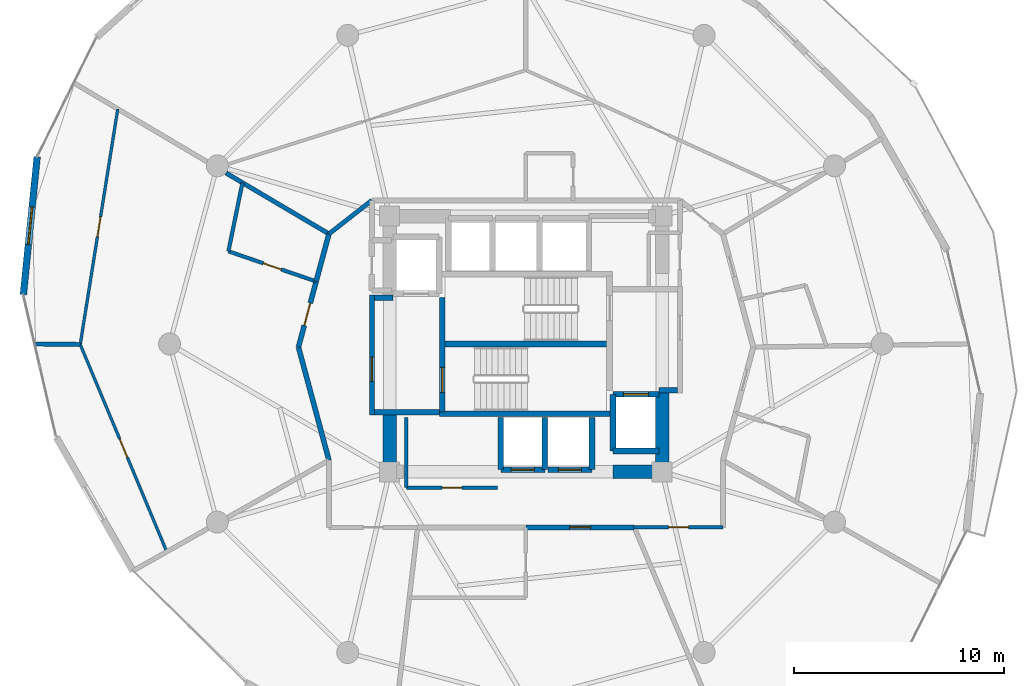
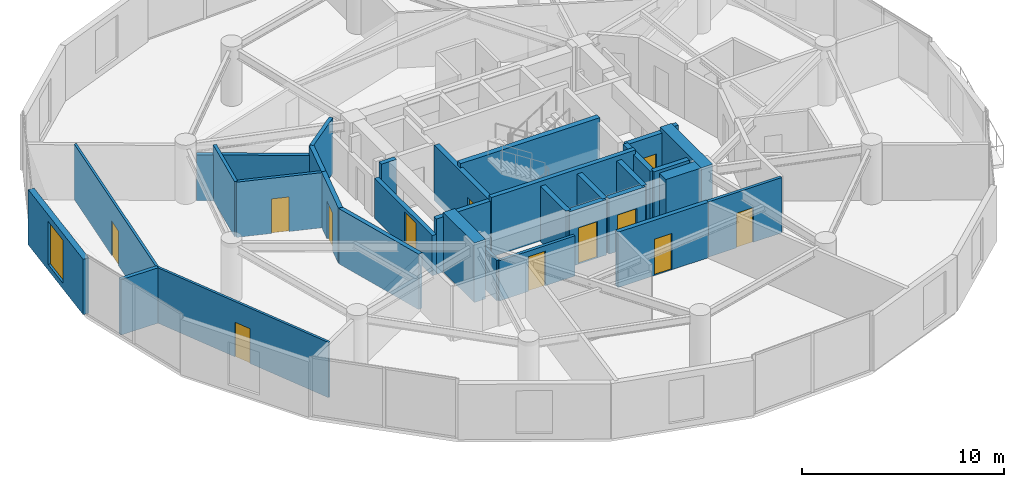
# One storey, part 20 of 25: 33 walls, 12 doors, 1 window, 13 openings.
"""IFC4 building model written with IfcOpenShell, lengths in metres."""

from ifc_helpers import new_model, si_unit, direction, frame, frame_2d, origin, place, context, subcontext, project, spatial, rectangle, extrude, material, layer, layer_set, type_object, element, fill, save


model = new_model("IFC4")

# Units and contexts
model_context = context("Model", 3, precision=1e-05, world=origin(), true_north=direction((0.0, 1.0)))
body_context = subcontext(model_context, "Body", "Model", "MODEL_VIEW")
ifc_project = project(units=[si_unit("LENGTHUNIT", "METRE"), si_unit("AREAUNIT", "SQUARE_METRE"), si_unit("VOLUMEUNIT", "CUBIC_METRE"), si_unit("PLANEANGLEUNIT", "RADIAN"), si_unit("MASSUNIT", "GRAM", prefix="KILO")], contexts=[model_context])

# Site, building, storey
site_placement = place(None, origin())
site = spatial("IfcSite", under=ifc_project, at=site_placement, CompositionType="ELEMENT")
building_placement = place(site_placement, origin())
building = spatial("IfcBuilding", under=site, at=building_placement, Name="Solvirekh Grand Hotel", CompositionType="ELEMENT")
storey_placement = place(building_placement, frame((0.0, 0.0, 124.199951171875)))
storey = spatial("IfcBuildingStorey", under=building, at=storey_placement, Name="L31", CompositionType="ELEMENT", Elevation=124.199951171875)

# Wall
ifc_material_1 = material(Name="Concrete C50/60", Category="concrete")
ifc_layer_1 = layer(ifc_material_1, 0.35009765625)
ifc_layer_set_1 = layer_set([ifc_layer_1], Name="Concrete C50/60")
wall_type_1 = type_object("IfcWallType", Name="CoreDivWall_RC350", PredefinedType="SOLIDWALL", material=ifc_layer_set_1)
wall_1_placement = place(storey_placement, frame((-4.1298828125, -3.324951171875, 0.0), z_axis=(0.0, 0.0, 1.0), x_axis=(1.0, 0.0, 0.0)))
element("IfcWall", 1, at=wall_1_placement, inside=storey, type_object=wall_type_1, Name="L31 core stair box wall ST-S", PredefinedType="SOLIDWALL", context=body_context, shape_type="SweptSolid", body=[
    extrude(rectangle(XDim=8.259765625, YDim=0.25, at=frame_2d((4.1298828125, 0.0))), origin(), (0.0, 0.0, 1.0), 3.60009765625),
])

# Wall, opening, door
ifc_material_2 = material(Name="Concrete C40/50", Category="concrete")
ifc_layer_2 = layer(ifc_material_2, 0.280029296875)
ifc_layer_set_2 = layer_set([ifc_layer_2], Name="Concrete C40/50")
wall_type_2 = type_object("IfcWallType", Name="CoreShaftWall_RC280", PredefinedType="SOLIDWALL", material=ifc_layer_set_2)
wall_2_placement = place(storey_placement, frame((-1.199951171875, -6.0, 0.0), z_axis=(0.0, 0.0, 1.0), x_axis=(1.0, 0.0, 0.0)))
wall_2 = element("IfcWall", 2, at=wall_2_placement, inside=storey, type_object=wall_type_2, Name="L31 MP-1 hoistway S wall", PredefinedType="SOLIDWALL", context=body_context, shape_type="SweptSolid", body=[
    extrude(rectangle(XDim=2.099853515625, YDim=0.280029296875, at=frame_2d((1.0498046875, 0.0))), origin(), (0.0, 0.0, 1.0), 3.35009765625),
])
opening_1_placement = place(wall_2_placement, frame((0.5, 0.0, 0.0)))
opening_1 = element("IfcOpeningElement", 3, at=opening_1_placement, cuts=wall_2, Name="Opening LD01", PredefinedType="OPENING", context=body_context, shape_type="SweptSolid", body=[
    extrude(rectangle(XDim=1.10009765625, YDim=2.199951171875, at=frame_2d((0.550048828125, 1.10009765625))), frame((0.0, 0.14990234375, 0.0), z_axis=(0.0, -1.0, 0.0), x_axis=(1.0, 0.0, 0.0)), (0.0, 0.0, 1.0), 0.300048828125),
])
ifc_material_3 = material(Name="Fire-Rated Steel Door Assembly", Category="steel")
door_type_1 = type_object("IfcDoorType", Name="Door_LiftLanding_1100X2200", OperationType="SLIDING_TO_LEFT", PredefinedType="DOOR", material=ifc_material_3)
door_1_placement = place(opening_1_placement, origin())
door_1 = element("IfcDoor", 4, at=door_1_placement, inside=storey, type_object=door_type_1, Name="L31 MP-1 sliding lift landing door", OperationType="SLIDING_TO_LEFT", OverallHeight=2.199951171875, OverallWidth=1.10009765625, PredefinedType="DOOR", context=body_context, shape_type="SweptSolid", body=[
    extrude(rectangle(XDim=1.10009765625, YDim=2.199951171875, at=frame_2d((0.550048828125, 1.10009765625))), frame((0.0, 0.02490234375, 0.0), z_axis=(0.0, -1.0, 0.0), x_axis=(1.0, 0.0, 0.0)), (0.0, 0.0, 1.0), 0.050048828125),
])
fill(opening_1, door_1)

# Walls
for number, where, z_axis, x_axis, name in (
    (5, (-1.199951171875, -3.5, 0.0), (0.0, 0.0, 1.0), (0.0, -1.0, 0.0), "L31 MP-1 hoistway W wall"),
    (6, (0.89990234375, -6.0, 0.0), (0.0, 0.0, 1.0), (0.0, 1.0, 0.0), "L31 MP-1 hoistway E wall"),
):
    element("IfcWall", number, at=place(storey_placement, frame(where, z_axis=z_axis, x_axis=x_axis)), inside=storey, type_object=wall_type_2, Name=name, PredefinedType="SOLIDWALL", context=body_context, shape_type="SweptSolid", body=[
        extrude(rectangle(XDim=2.5, YDim=0.280029296875, at=frame_2d((1.25, 0.0))), origin(), (0.0, 0.0, 1.0), 3.35009765625),
    ])

# Wall, opening, door
wall_3_placement = place(storey_placement, frame((1.050048828125, -6.0, 0.0), z_axis=(0.0, 0.0, 1.0), x_axis=(1.0, 0.0, 0.0)))
wall_3 = element("IfcWall", 7, at=wall_3_placement, inside=storey, type_object=wall_type_2, Name="L31 MP-2 hoistway S wall", PredefinedType="SOLIDWALL", context=body_context, shape_type="SweptSolid", body=[
    extrude(rectangle(XDim=2.099853515625, YDim=0.280029296875, at=frame_2d((1.0498046875, 0.0))), origin(), (0.0, 0.0, 1.0), 3.35009765625),
])
opening_2_placement = place(wall_3_placement, frame((0.5, 0.0, 0.0)))
opening_2 = element("IfcOpeningElement", 8, at=opening_2_placement, cuts=wall_3, Name="Opening LD01", PredefinedType="OPENING", context=body_context, shape_type="SweptSolid", body=[
    extrude(rectangle(XDim=1.10009765625, YDim=2.199951171875, at=frame_2d((0.550048828125, 1.10009765625))), frame((0.0, 0.14990234375, 0.0), z_axis=(0.0, -1.0, 0.0), x_axis=(1.0, 0.0, 0.0)), (0.0, 0.0, 1.0), 0.300048828125),
])
door_2_placement = place(opening_2_placement, origin())
door_2 = element("IfcDoor", 9, at=door_2_placement, inside=storey, type_object=door_type_1, Name="L31 MP-2 sliding lift landing door", OperationType="SLIDING_TO_LEFT", OverallHeight=2.199951171875, OverallWidth=1.10009765625, PredefinedType="DOOR", context=body_context, shape_type="SweptSolid", body=[
    extrude(rectangle(XDim=1.10009765625, YDim=2.199951171875, at=frame_2d((0.550048828125, 1.10009765625))), frame((0.0, 0.02490234375, 0.0), z_axis=(0.0, -1.0, 0.0), x_axis=(1.0, 0.0, 0.0)), (0.0, 0.0, 1.0), 0.050048828125),
])
fill(opening_2, door_2)

# Walls
wall_4_placement = place(storey_placement, frame((3.14990234375, -6.0, 0.0), z_axis=(0.0, 0.0, 1.0), x_axis=(0.0, 1.0, 0.0)))
element("IfcWall", 10, at=wall_4_placement, inside=storey, type_object=wall_type_2, Name="L31 MP-2 hoistway E wall", PredefinedType="SOLIDWALL", context=body_context, shape_type="SweptSolid", body=[
    extrude(rectangle(XDim=2.5, YDim=0.280029296875, at=frame_2d((1.25, 0.0))), origin(), (0.0, 0.0, 1.0), 3.35009765625),
])
wall_5_placement = place(storey_placement, frame((4.14990234375, -5.10009765625, 0.0), z_axis=(0.0, 0.0, 1.0), x_axis=(1.0, 0.0, 0.0)))
element("IfcWall", 11, at=wall_5_placement, inside=storey, type_object=wall_type_2, Name="L31 FL-2 hoistway S wall", PredefinedType="SOLIDWALL", context=body_context, shape_type="SweptSolid", body=[
    extrude(rectangle(XDim=2.2001953125, YDim=0.280029296875, at=frame_2d((1.10009765625, 0.0))), origin(), (0.0, 0.0, 1.0), 3.35009765625),
])

# Wall, opening, door
wall_6_placement = place(storey_placement, frame((6.35009765625, -2.39990234375, 0.0), z_axis=(0.0, 0.0, 1.0), x_axis=(-1.0, 0.0, 0.0)))
wall_6 = element("IfcWall", 12, at=wall_6_placement, inside=storey, type_object=wall_type_2, Name="L31 FL-2 hoistway N wall", PredefinedType="SOLIDWALL", context=body_context, shape_type="SweptSolid", body=[
    extrude(rectangle(XDim=2.2001953125, YDim=0.280029296875, at=frame_2d((1.10009765625, 0.0))), origin(), (0.0, 0.0, 1.0), 3.35009765625),
])
opening_3_placement = place(wall_6_placement, frame((0.5, 0.0, 0.0)))
opening_3 = element("IfcOpeningElement", 13, at=opening_3_placement, cuts=wall_6, Name="Opening LD02", PredefinedType="OPENING", context=body_context, shape_type="SweptSolid", body=[
    extrude(rectangle(XDim=1.199951171875, YDim=2.199951171875, at=frame_2d((0.60009765625, 1.10009765625))), frame((0.0, 0.14990234375, 0.0), z_axis=(0.0, -1.0, 0.0), x_axis=(1.0, 0.0, 0.0)), (0.0, 0.0, 1.0), 0.300048828125),
])
door_type_2 = type_object("IfcDoorType", Name="Door_LiftFF_1200X2200", OperationType="SLIDING_TO_LEFT", PredefinedType="DOOR", material=ifc_material_3)
door_3_placement = place(opening_3_placement, origin())
door_3 = element("IfcDoor", 14, at=door_3_placement, inside=storey, type_object=door_type_2, Name="L31 FL-2 sliding lift landing door", OperationType="SLIDING_TO_LEFT", OverallHeight=2.199951171875, OverallWidth=1.199951171875, PredefinedType="DOOR", context=body_context, shape_type="SweptSolid", body=[
    extrude(rectangle(XDim=1.199951171875, YDim=2.199951171875, at=frame_2d((0.60009765625, 1.10009765625))), frame((0.0, 0.02490234375, 0.0), z_axis=(0.0, -1.0, 0.0), x_axis=(1.0, 0.0, 0.0)), (0.0, 0.0, 1.0), 0.050048828125),
])
fill(opening_3, door_3)

# Wall
wall_7_placement = place(storey_placement, frame((4.14990234375, -2.39990234375, 0.0), z_axis=(0.0, 0.0, 1.0), x_axis=(0.0, -1.0, 0.0)))
element("IfcWall", 15, at=wall_7_placement, inside=storey, type_object=wall_type_2, Name="L31 FL-2 hoistway W wall", PredefinedType="SOLIDWALL", context=body_context, shape_type="SweptSolid", body=[
    extrude(rectangle(XDim=2.7001953125, YDim=0.280029296875, at=frame_2d((1.35009765625, 0.0))), origin(), (0.0, 0.0, 1.0), 3.35009765625),
])

# Wall, opening, door
wall_8_placement = place(storey_placement, frame((-3.989990234375, -3.25, 0.0), z_axis=(0.0, 0.0, 1.0), x_axis=(0.0, 1.0, 0.0)))
wall_8 = element("IfcWall", 16, at=wall_8_placement, inside=storey, type_object=wall_type_2, Name="L31 west stair landing enclosure wall", PredefinedType="SOLIDWALL", context=body_context, shape_type="SweptSolid", body=[
    extrude(rectangle(XDim=5.4599609375, YDim=0.280029296875, at=frame_2d((2.72998046875, 0.0))), origin(), (0.0, 0.0, 1.0), 3.35009765625),
])
opening_4_placement = place(wall_8_placement, frame((0.93701171875, 0.0, 0.0)))
opening_4 = element("IfcOpeningElement", 17, at=opening_4_placement, cuts=wall_8, Name="Opening D05", PredefinedType="OPENING", context=body_context, shape_type="SweptSolid", body=[
    extrude(rectangle(XDim=1.199951171875, YDim=2.199951171875, at=frame_2d((0.60009765625, 1.10009765625))), frame((0.0, 0.14990234375, 0.0), z_axis=(0.0, -1.0, 0.0), x_axis=(1.0, 0.0, 0.0)), (0.0, 0.0, 1.0), 0.300048828125),
])
door_type_3 = type_object("IfcDoorType", Name="Door_StairCore_1200X2200", OperationType="NOTDEFINED", PredefinedType="DOOR", material=ifc_material_3)
door_4_placement = place(opening_4_placement, origin())
door_4 = element("IfcDoor", 18, at=door_4_placement, inside=storey, type_object=door_type_3, Name="L31 exit stair ST-1 fire door", OperationType="SINGLE_SWING_LEFT", OverallHeight=2.199951171875, OverallWidth=1.199951171875, PredefinedType="DOOR", context=body_context, shape_type="SweptSolid", body=[
    extrude(rectangle(XDim=1.199951171875, YDim=2.199951171875, at=frame_2d((0.60009765625, 1.10009765625))), frame((0.0, 0.02490234375, 0.0), z_axis=(0.0, -1.0, 0.0), x_axis=(1.0, 0.0, 0.0)), (0.0, 0.0, 1.0), 0.050048828125),
])
fill(opening_4, door_4)

# Walls
ifc_layer_3 = layer(ifc_material_1, 0.64990234375)
ifc_layer_set_3 = layer_set([ifc_layer_3], Name="Concrete C50/60")
wall_type_3 = type_object("IfcWallType", Name="CoreWall_RC650", PredefinedType="SHEAR", material=ifc_layer_set_3)
wall_9_placement = place(storey_placement, frame((-3.989990234375, 0.0, 0.0), z_axis=(0.0, 0.0, 1.0), x_axis=(1.0, 0.0, 0.0)))
element("IfcWall", 19, at=wall_9_placement, inside=storey, type_object=wall_type_3, Name="L31 central stair-spine shear wall", PredefinedType="SHEAR", context=body_context, shape_type="SweptSolid", body=[
    extrude(rectangle(XDim=7.97998046875, YDim=0.300048828125, at=frame_2d((3.989990234375, 0.0))), origin(), (0.0, 0.0, 1.0), 3.60009765625),
])
wall_10_placement = place(storey_placement, frame((4.14990234375, -6.10009765625, 0.0), z_axis=(0.0, 0.0, 1.0), x_axis=(1.0, 0.0, 0.0)))
element("IfcWall", 20, at=wall_10_placement, inside=storey, type_object=wall_type_3, Name="L31 core corner shear wall SE-S", PredefinedType="SHEAR", context=body_context, shape_type="SweptSolid", body=[
    extrude(rectangle(XDim=2.025146484375, YDim=0.64990234375, at=frame_2d((1.0126953125, 0.0))), origin(), (0.0, 0.0, 1.0), 3.60009765625),
])
wall_11_placement = place(storey_placement, frame((-6.5, -6.425048828125, 0.0), z_axis=(0.0, 0.0, 1.0), x_axis=(0.0, 1.0, 0.0)))
element("IfcWall", 21, at=wall_11_placement, inside=storey, type_object=wall_type_3, Name="L31 core corner shear wall WS-W", PredefinedType="SHEAR", context=body_context, shape_type="SweptSolid", body=[
    extrude(rectangle(XDim=3.074951171875, YDim=0.64990234375, at=frame_2d((1.53759765625, 0.0))), origin(), (0.0, 0.0, 1.0), 3.60009765625),
])
wall_12_placement = place(storey_placement, frame((6.5, -6.425048828125, 0.0), z_axis=(0.0, 0.0, 1.0), x_axis=(0.0, 1.0, 0.0)))
element("IfcWall", 22, at=wall_12_placement, inside=storey, type_object=wall_type_3, Name="L31 core corner shear wall ES-E", PredefinedType="SHEAR", context=body_context, shape_type="SweptSolid", body=[
    extrude(rectangle(XDim=4.074951171875, YDim=0.64990234375, at=frame_2d((2.03759765625, 0.0))), origin(), (0.0, 0.0, 1.0), 3.60009765625),
])

# Wall, opening, window
ifc_material_4 = material(Name="Precast concrete C45/55", Category="concrete")
ifc_layer_4 = layer(ifc_material_4, 0.320068359375)
ifc_layer_set_4 = layer_set([ifc_layer_4], Name="Precast concrete C45/55")
wall_type_4 = type_object("IfcWallType", Name="ExtLobbyWall_RC320", PredefinedType="SOLIDWALL", material=ifc_layer_set_4)
wall_13_placement = place(storey_placement, frame((-23.97607421875, 2.34912109375, 0.0), z_axis=(0.0, 0.0, 1.0), x_axis=(0.099829039752, 0.995004604423, 0.0)))
wall_13 = element("IfcWall", 23, at=wall_13_placement, inside=storey, type_object=wall_type_4, Name="L31 exterior structural wall chord 12", PredefinedType="SOLIDWALL", context=body_context, shape_type="SweptSolid", body=[
    extrude(rectangle(XDim=6.61279296875, YDim=0.320068359375, at=frame_2d((3.306396484375, 0.0))), origin(), (0.0, 0.0, 1.0), 3.35009765625),
])
opening_5_placement = place(wall_13_placement, frame((2.406982421875, 0.0, 0.35009765625)))
opening_5 = element("IfcOpeningElement", 24, at=opening_5_placement, cuts=wall_13, Name="Opening W02", PredefinedType="OPENING", context=body_context, shape_type="SweptSolid", body=[
    extrude(rectangle(XDim=1.800048828125, YDim=2.60009765625, at=frame_2d((0.89990234375, 1.300048828125))), frame((0.0, 0.169921875, 0.0), z_axis=(0.0, -1.0, 0.0), x_axis=(1.0, 0.0, 0.0)), (0.0, 0.0, 1.0), 0.340087890625),
])
ifc_material_5 = material(Name="Low-E Tinted Bronze Laminated Glass", Category="aluminium")
window_type = type_object("IfcWindowType", Name="Win_LobbyExt_1800X2600", PartitioningType="SINGLE_PANEL", PredefinedType="WINDOW", material=ifc_material_5)
window_placement = place(opening_5_placement, origin())
window = element("IfcWindow", 25, at=window_placement, inside=storey, type_object=window_type, Name="L31 panoramic bronze-framed window 12", OverallHeight=2.60009765625, OverallWidth=1.800048828125, PartitioningType="SINGLE_PANEL", PredefinedType="WINDOW", context=body_context, shape_type="SweptSolid", body=[
    extrude(rectangle(XDim=1.800048828125, YDim=2.60009765625, at=frame_2d((0.89990234375, 1.300048828125))), frame((0.0, 0.030029296875, 0.0), z_axis=(0.0, -1.0, 0.0), x_axis=(1.0, 0.0, 0.0)), (0.0, 0.0, 1.0), 0.06005859375),
])
fill(opening_5, window)

# Wall, opening, door
ifc_material_6 = material(Name="Acoustic Gypsum Partition Assembly")
ifc_layer_5 = layer(ifc_material_6, 0.1650390625)
ifc_layer_set_5 = layer_set([ifc_layer_5], Name="Acoustic Gypsum Partition Assembly")
wall_type_5 = type_object("IfcWallType", Name="Part_BOH_165", PredefinedType="PARTITIONING", material=ifc_layer_set_5)
wall_14_placement = place(storey_placement, frame((-5.699951171875, -6.85009765625, 0.0), z_axis=(0.0, 0.0, 1.0), x_axis=(1.0, 0.0, 0.0)))
wall_14 = element("IfcWall", 26, at=wall_14_placement, inside=storey, type_object=wall_type_5, Name="L31 Mid-Zone Housekeeping Linen Room wall 1", PredefinedType="PARTITIONING", context=body_context, shape_type="SweptSolid", body=[
    extrude(rectangle(XDim=4.349853515625, YDim=0.1650390625, at=frame_2d((2.1748046875, 0.0))), origin(), (0.0, 0.0, 1.0), 2.43505859375),
])
opening_6_placement = place(wall_14_placement, frame((1.699951171875, 0.0, 0.0)))
opening_6 = element("IfcOpeningElement", 27, at=opening_6_placement, cuts=wall_14, Name="Opening D10", PredefinedType="OPENING", context=body_context, shape_type="SweptSolid", body=[
    extrude(rectangle(XDim=0.949951171875, YDim=2.10009765625, at=frame_2d((0.47509765625, 1.050048828125))), frame((0.0, 0.092529296875, 0.0), z_axis=(0.0, -1.0, 0.0), x_axis=(1.0, 0.0, 0.0)), (0.0, 0.0, 1.0), 0.18505859375),
])
ifc_material_7 = material(Name="Anodized Bronze Aluminium 6063-T6", Category="aluminium")
door_type_4 = type_object("IfcDoorType", Name="Door_RoomInt_950X2100", OperationType="NOTDEFINED", PredefinedType="DOOR", material=ifc_material_7)
door_5_placement = place(opening_6_placement, origin())
door_5 = element("IfcDoor", 28, at=door_5_placement, inside=storey, type_object=door_type_4, Name="L31 Mid-Zone Housekeeping Linen Room door", OperationType="SINGLE_SWING_LEFT", OverallHeight=2.10009765625, OverallWidth=0.949951171875, PredefinedType="DOOR", context=body_context, shape_type="SweptSolid", body=[
    extrude(rectangle(XDim=0.949951171875, YDim=2.10009765625, at=frame_2d((0.47509765625, 1.050048828125))), frame((0.0, 0.02490234375, 0.0), z_axis=(0.0, -1.0, 0.0), x_axis=(1.0, 0.0, 0.0)), (0.0, 0.0, 1.0), 0.050048828125),
])
fill(opening_6, door_5)

# Wall
wall_15_placement = place(storey_placement, frame((-5.699951171875, -3.5, 0.0), z_axis=(0.0, 0.0, 1.0), x_axis=(0.0, -1.0, 0.0)))
element("IfcWall", 29, at=wall_15_placement, inside=storey, type_object=wall_type_5, Name="L31 Mid-Zone Housekeeping Linen Room wall 4", PredefinedType="PARTITIONING", context=body_context, shape_type="SweptSolid", body=[
    extrude(rectangle(XDim=3.35009765625, YDim=0.1650390625, at=frame_2d((1.675048828125, 0.0))), origin(), (0.0, 0.0, 1.0), 2.43505859375),
])

# Wall, opening, door
wall_16_placement = place(storey_placement, frame((5.16796875, -8.75, 0.0), z_axis=(0.0, 0.0, 1.0), x_axis=(1.0, 0.0, 0.0)))
wall_16 = element("IfcWall", 30, at=wall_16_placement, inside=storey, type_object=wall_type_5, Name="L31 L31 Butler Valet & Linen Steward Room entrance wall", PredefinedType="PARTITIONING", context=body_context, shape_type="SweptSolid", body=[
    extrude(rectangle(XDim=4.22802734375, YDim=0.1650390625, at=frame_2d((2.114013671875, 0.0))), origin(), (0.0, 0.0, 1.0), 3.35009765625),
])
opening_7_placement = place(wall_16_placement, frame((1.638916015625, 0.0, 0.0)))
opening_7 = element("IfcOpeningElement", 31, at=opening_7_placement, cuts=wall_16, Name="Opening D10", PredefinedType="OPENING", context=body_context, shape_type="SweptSolid", body=[
    extrude(rectangle(XDim=0.949951171875, YDim=2.10009765625, at=frame_2d((0.47509765625, 1.050048828125))), frame((0.0, 0.092529296875, 0.0), z_axis=(0.0, -1.0, 0.0), x_axis=(1.0, 0.0, 0.0)), (0.0, 0.0, 1.0), 0.18505859375),
])
door_6_placement = place(opening_7_placement, origin())
door_6 = element("IfcDoor", 32, at=door_6_placement, inside=storey, type_object=door_type_4, Name="L31 L31 Butler Valet & Linen Steward Room entrance door", OperationType="SINGLE_SWING_LEFT", OverallHeight=2.10009765625, OverallWidth=0.949951171875, PredefinedType="DOOR", context=body_context, shape_type="SweptSolid", body=[
    extrude(rectangle(XDim=0.949951171875, YDim=2.10009765625, at=frame_2d((0.47509765625, 1.050048828125))), frame((0.0, 0.02490234375, 0.0), z_axis=(0.0, -1.0, 0.0), x_axis=(1.0, 0.0, 0.0)), (0.0, 0.0, 1.0), 0.050048828125),
])
fill(opening_7, door_6)

ifc_layer_6 = layer(ifc_material_6, 0.239990234375)
ifc_layer_set_6 = layer_set([ifc_layer_6], Name="Acoustic Gypsum Partition Assembly")
wall_type_6 = type_object("IfcWallType", Name="Part_Corridor_240", PredefinedType="PARTITIONING", material=ifc_layer_set_6)
wall_17_placement = place(storey_placement, frame((-7.35009765625, -3.3798828125, 0.0), z_axis=(0.0, 0.0, 1.0), x_axis=(0.0, 1.0, 0.0)))
wall_17 = element("IfcWall", 33, at=wall_17_placement, inside=storey, type_object=wall_type_6, Name="L31 west firefighting lobby smoke screen wall", PredefinedType="PARTITIONING", context=body_context, shape_type="SweptSolid", body=[
    extrude(rectangle(XDim=5.719970703125, YDim=0.239990234375, at=frame_2d((2.85986328125, 0.0))), origin(), (0.0, 0.0, 1.0), 2.43505859375),
])
opening_8_placement = place(wall_17_placement, frame((1.59912109375, 0.0, 0.0)))
opening_8 = element("IfcOpeningElement", 34, at=opening_8_placement, cuts=wall_17, Name="Opening D06", PredefinedType="OPENING", context=body_context, shape_type="SweptSolid", body=[
    extrude(rectangle(XDim=1.14990234375, YDim=2.199951171875, at=frame_2d((0.574951171875, 1.10009765625))), frame((0.0, 0.1298828125, 0.0), z_axis=(0.0, -1.0, 0.0), x_axis=(1.0, 0.0, 0.0)), (0.0, 0.0, 1.0), 0.260009765625),
])
door_type_5 = type_object("IfcDoorType", Name="Door_FFLobby_1150X2200", OperationType="NOTDEFINED", PredefinedType="DOOR", material=ifc_material_3)
door_7_placement = place(opening_8_placement, origin())
door_7 = element("IfcDoor", 35, at=door_7_placement, inside=storey, type_object=door_type_5, Name="L31 west firefighting lobby smoke door", OperationType="SINGLE_SWING_LEFT", OverallHeight=2.199951171875, OverallWidth=1.14990234375, PredefinedType="DOOR", context=body_context, shape_type="SweptSolid", body=[
    extrude(rectangle(XDim=1.14990234375, YDim=2.199951171875, at=frame_2d((0.574951171875, 1.10009765625))), frame((0.0, 0.02490234375, 0.0), z_axis=(0.0, -1.0, 0.0), x_axis=(1.0, 0.0, 0.0)), (0.0, 0.0, 1.0), 0.050048828125),
])
fill(opening_8, door_7)

# Walls
wall_18_placement = place(storey_placement, frame((-9.39599609375, 5.25, 0.0), z_axis=(0.0, 0.0, 1.0), x_axis=(-0.260152382661, -0.965567572879, 0.0)))
element("IfcWall", 36, at=wall_18_placement, inside=storey, type_object=wall_type_6, Name="L31 En-suite Bathroom 3302 corridor backing wall", PredefinedType="PARTITIONING", context=body_context, shape_type="SweptSolid", body=[
    extrude(rectangle(XDim=2.348876953125, YDim=0.239990234375, at=frame_2d((1.17431640625, 0.0))), origin(), (0.0, 0.0, 1.0), 3.35009765625),
])
wall_19_placement = place(storey_placement, frame((-10.85009765625, -0.14990234375, 0.0), z_axis=(0.0, 0.0, 1.0), x_axis=(0.260009481157, -0.965606063417, 0.0)))
element("IfcWall", 37, at=wall_19_placement, inside=storey, type_object=wall_type_6, Name="L31 Executive Suite 3302 Living Room corridor wall 1", PredefinedType="PARTITIONING", context=body_context, shape_type="SweptSolid", body=[
    extrude(rectangle(XDim=5.592529296875, YDim=0.239990234375, at=frame_2d((2.79638671875, 0.0))), origin(), (0.0, 0.0, 1.0), 3.35009765625),
])

# Wall, opening, door
wall_20_placement = place(storey_placement, frame((-10.007080078125, 2.98193359375, 0.0), z_axis=(0.0, 0.0, 1.0), x_axis=(-0.259924881751, -0.965628839589, 0.0)))
wall_20 = element("IfcWall", 38, at=wall_20_placement, inside=storey, type_object=wall_type_6, Name="L31 Executive Suite 3302 Living Room entrance wall", PredefinedType="PARTITIONING", context=body_context, shape_type="SweptSolid", body=[
    extrude(rectangle(XDim=3.243408203125, YDim=0.239990234375, at=frame_2d((1.62158203125, 0.0))), origin(), (0.0, 0.0, 1.0), 3.35009765625),
])
opening_9_placement = place(wall_20_placement, frame((1.072021484375, 0.0, 0.0)))
opening_9 = element("IfcOpeningElement", 39, at=opening_9_placement, cuts=wall_20, Name="Opening D08", PredefinedType="OPENING", context=body_context, shape_type="SweptSolid", body=[
    extrude(rectangle(XDim=1.10009765625, YDim=2.300048828125, at=frame_2d((0.550048828125, 1.14990234375))), frame((0.0, 0.1298828125, 0.0), z_axis=(0.0, -1.0, 0.0), x_axis=(1.0, 0.0, 0.0)), (0.0, 0.0, 1.0), 0.260009765625),
])
door_type_6 = type_object("IfcDoorType", Name="Door_SuiteEntry_1100X2300", OperationType="NOTDEFINED", PredefinedType="DOOR", material=ifc_material_3)
door_8_placement = place(opening_9_placement, origin())
door_8 = element("IfcDoor", 40, at=door_8_placement, inside=storey, type_object=door_type_6, Name="L31 Executive Suite 3302 Living Room entrance door", OperationType="SINGLE_SWING_LEFT", OverallHeight=2.300048828125, OverallWidth=1.10009765625, PredefinedType="DOOR", context=body_context, shape_type="SweptSolid", body=[
    extrude(rectangle(XDim=1.10009765625, YDim=2.300048828125, at=frame_2d((0.550048828125, 1.14990234375))), frame((0.0, 0.02490234375, 0.0), z_axis=(0.0, -1.0, 0.0), x_axis=(1.0, 0.0, 0.0)), (0.0, 0.0, 1.0), 0.050048828125),
])
fill(opening_9, door_8)

wall_21_placement = place(storey_placement, frame((0.0, -8.75, 0.0), z_axis=(0.0, 0.0, 1.0), x_axis=(1.0, 0.0, 0.0)))
wall_21 = element("IfcWall", 41, at=wall_21_placement, inside=storey, type_object=wall_type_6, Name="L31 Deluxe Guestroom 3305 entrance wall", PredefinedType="PARTITIONING", context=body_context, shape_type="SweptSolid", body=[
    extrude(rectangle(XDim=5.16796875, YDim=0.239990234375, at=frame_2d((2.583984375, 0.0))), origin(), (0.0, 0.0, 1.0), 3.35009765625),
])
opening_10_placement = place(wall_21_placement, frame((2.083984375, 0.0, 0.0)))
opening_10 = element("IfcOpeningElement", 42, at=opening_10_placement, cuts=wall_21, Name="Opening D07", PredefinedType="OPENING", context=body_context, shape_type="SweptSolid", body=[
    extrude(rectangle(XDim=1.0, YDim=2.199951171875, at=frame_2d((0.5, 1.10009765625))), frame((0.0, 0.1298828125, 0.0), z_axis=(0.0, -1.0, 0.0), x_axis=(1.0, 0.0, 0.0)), (0.0, 0.0, 1.0), 0.260009765625),
])
door_type_7 = type_object("IfcDoorType", Name="Door_GuestEntry_1000X2200", OperationType="NOTDEFINED", PredefinedType="DOOR", material=ifc_material_3)
door_9_placement = place(opening_10_placement, origin())
door_9 = element("IfcDoor", 43, at=door_9_placement, inside=storey, type_object=door_type_7, Name="L31 Deluxe Guestroom 3305 entrance door", OperationType="SINGLE_SWING_RIGHT", OverallHeight=2.199951171875, OverallWidth=1.0, PredefinedType="DOOR", context=body_context, shape_type="SweptSolid", body=[
    extrude(rectangle(XDim=1.0, YDim=2.199951171875, at=frame_2d((0.5, 1.10009765625))), frame((0.0, 0.02490234375, 0.0), z_axis=(0.0, -1.0, 0.0), x_axis=(1.0, 0.0, 0.0)), (0.0, 0.0, 1.0), 0.050048828125),
])
fill(opening_10, door_9)

# Walls
ifc_layer_7 = layer(ifc_material_6, 0.260009765625)
ifc_layer_set_7 = layer_set([ifc_layer_7], Name="Acoustic Gypsum Partition Assembly")
wall_type_7 = type_object("IfcWallType", Name="Part_LobbyFF_260", PredefinedType="PARTITIONING", material=ifc_layer_set_7)
wall_22_placement = place(storey_placement, frame((-7.22509765625, -3.25, 0.0), z_axis=(0.0, 0.0, 1.0), x_axis=(1.0, 0.0, 0.0)))
element("IfcWall", 44, at=wall_22_placement, inside=storey, type_object=wall_type_7, Name="L31 west firefighting lobby south partition", PredefinedType="PARTITIONING", context=body_context, shape_type="SweptSolid", body=[
    extrude(rectangle(XDim=3.09521484375, YDim=0.260009765625, at=frame_2d((1.547607421875, 0.0))), origin(), (0.0, 0.0, 1.0), 3.35009765625),
])
for number, where, z_axis, x_axis, name in (
    (45, (-7.22509765625, 2.2099609375, 0.0), (0.0, 0.0, 1.0), (1.0, 0.0, 0.0), "L31 west firefighting lobby NW cheek"),
    (46, (6.35009765625, -2.2099609375, 0.0), (0.0, 0.0, 1.0), (1.0, 0.0, 0.0), "L31 east firefighting lobby SE cheek"),
):
    element("IfcWall", number, at=place(storey_placement, frame(where, z_axis=z_axis, x_axis=x_axis)), inside=storey, type_object=wall_type_7, Name=name, PredefinedType="PARTITIONING", context=body_context, shape_type="SweptSolid", body=[
        extrude(rectangle(XDim=0.875, YDim=0.260009765625, at=frame_2d((0.4375, 0.0))), origin(), (0.0, 0.0, 1.0), 3.35009765625),
    ])

# Wall, opening, door
ifc_layer_8 = layer(ifc_material_6, 0.135009765625)
ifc_layer_set_8 = layer_set([ifc_layer_8], Name="Acoustic Gypsum Partition Assembly")
wall_type_8 = type_object("IfcWallType", Name="Part_RoomInt_135", PredefinedType="PARTITIONING", material=ifc_layer_set_8)
wall_23_placement = place(storey_placement, frame((-19.470947265625, 11.2119140625, 0.0), z_axis=(0.0, 0.0, 1.0), x_axis=(-0.157304320927, -0.987550176253, 0.0)))
wall_23 = element("IfcWall", 47, at=wall_23_placement, inside=storey, type_object=wall_type_8, Name="L31 Executive Suite 3302 Living Room bedroom screen wall", PredefinedType="PARTITIONING", context=body_context, shape_type="SweptSolid", body=[
    extrude(rectangle(XDim=11.37939453125, YDim=0.135009765625, at=frame_2d((5.689697265625, 0.0))), origin(), (0.0, 0.0, 1.0), 3.35009765625),
])
opening_11_placement = place(wall_23_placement, frame((5.215087890625, 0.0, 0.0)))
opening_11 = element("IfcOpeningElement", 48, at=opening_11_placement, cuts=wall_23, Name="Opening D10", PredefinedType="OPENING", context=body_context, shape_type="SweptSolid", body=[
    extrude(rectangle(XDim=0.949951171875, YDim=2.10009765625, at=frame_2d((0.47509765625, 1.050048828125))), frame((0.0, 0.07763671875, 0.0), z_axis=(0.0, -1.0, 0.0), x_axis=(1.0, 0.0, 0.0)), (0.0, 0.0, 1.0), 0.155029296875),
])
door_10_placement = place(opening_11_placement, origin())
door_10 = element("IfcDoor", 49, at=door_10_placement, inside=storey, type_object=door_type_4, Name="L31 Executive Suite 3302 Living Room master bedroom door", OperationType="SINGLE_SWING_RIGHT", OverallHeight=2.10009765625, OverallWidth=0.949951171875, PredefinedType="DOOR", context=body_context, shape_type="SweptSolid", body=[
    extrude(rectangle(XDim=0.949951171875, YDim=2.10009765625, at=frame_2d((0.47509765625, 1.050048828125))), frame((0.0, 0.02490234375, 0.0), z_axis=(0.0, -1.0, 0.0), x_axis=(1.0, 0.0, 0.0)), (0.0, 0.0, 1.0), 0.050048828125),
])
fill(opening_11, door_10)

wall_24_placement = place(storey_placement, frame((-21.260986328125, -0.02587890625, 0.0), z_axis=(0.0, 0.0, 1.0), x_axis=(0.385272182275, -0.922802983071, 0.0)))
wall_24 = element("IfcWall", 50, at=wall_24_placement, inside=storey, type_object=wall_type_8, Name="L31 Executive Suite 3302 Panorama Suite Study bedroom screen wall", PredefinedType="PARTITIONING", context=body_context, shape_type="SweptSolid", body=[
    extrude(rectangle(XDim=10.71435546875, YDim=0.135009765625, at=frame_2d((5.357177734375, 0.0))), origin(), (0.0, 0.0, 1.0), 3.35009765625),
])
opening_12_placement = place(wall_24_placement, frame((4.882080078125, 0.0, 0.0)))
opening_12 = element("IfcOpeningElement", 51, at=opening_12_placement, cuts=wall_24, Name="Opening D10", PredefinedType="OPENING", context=body_context, shape_type="SweptSolid", body=[
    extrude(rectangle(XDim=0.949951171875, YDim=2.10009765625, at=frame_2d((0.47509765625, 1.050048828125))), frame((0.0, 0.07763671875, 0.0), z_axis=(0.0, -1.0, 0.0), x_axis=(1.0, 0.0, 0.0)), (0.0, 0.0, 1.0), 0.155029296875),
])
door_11_placement = place(opening_12_placement, origin())
door_11 = element("IfcDoor", 52, at=door_11_placement, inside=storey, type_object=door_type_4, Name="L31 Executive Suite 3302 Panorama Suite Study master bedroom door", OperationType="SINGLE_SWING_LEFT", OverallHeight=2.10009765625, OverallWidth=0.949951171875, PredefinedType="DOOR", context=body_context, shape_type="SweptSolid", body=[
    extrude(rectangle(XDim=0.949951171875, YDim=2.10009765625, at=frame_2d((0.47509765625, 1.050048828125))), frame((0.0, 0.02490234375, 0.0), z_axis=(0.0, -1.0, 0.0), x_axis=(1.0, 0.0, 0.0)), (0.0, 0.0, 1.0), 0.050048828125),
])
fill(opening_12, door_11)

# Walls
ifc_layer_9 = layer(ifc_material_6, 0.2099609375)
ifc_layer_set_9 = layer_set([ifc_layer_9], Name="Acoustic Gypsum Partition Assembly")
wall_type_9 = type_object("IfcWallType", Name="Part_SuiteDemise_210", PredefinedType="PARTITIONING", material=ifc_layer_set_9)
wall_25_placement = place(storey_placement, frame((-9.39599609375, 5.25, 0.0), z_axis=(0.0, 0.0, 1.0), x_axis=(-0.860613457584, 0.509258752134, 0.0)))
element("IfcWall", 53, at=wall_25_placement, inside=storey, type_object=wall_type_9, Name="L31 suite radial wall 6 (A)", PredefinedType="PARTITIONING", context=body_context, shape_type="SweptSolid", body=[
    extrude(rectangle(XDim=5.70068359375, YDim=0.2099609375, at=frame_2d((2.850341796875, 0.0))), origin(), (0.0, 0.0, 1.0), 2.791015625),
])
wall_26_placement = place(storey_placement, frame((-9.39599609375, 5.25, 0.0), z_axis=(0.0, 0.0, 1.0), x_axis=(0.7876993483, 0.6160598483, 0.0)))
element("IfcWall", 54, at=wall_26_placement, inside=storey, type_object=wall_type_9, Name="L31 Panorama Suite 3301 Inner Suite Lounge dividing partition 1", PredefinedType="PARTITIONING", context=body_context, shape_type="SweptSolid", body=[
    extrude(rectangle(XDim=2.597412109375, YDim=0.2099609375, at=frame_2d((1.298828125, 0.0))), origin(), (0.0, 0.0, 1.0), 3.35009765625),
])
wall_27_placement = place(storey_placement, frame((-21.260986328125, -0.02587890625, 0.0), z_axis=(0.0, 0.0, 1.0), x_axis=(-0.99992634422, 0.012136973833, 0.0)))
element("IfcWall", 55, at=wall_27_placement, inside=storey, type_object=wall_type_9, Name="L31 Executive Suite 3302 Living Room dividing partition 1", PredefinedType="PARTITIONING", context=body_context, shape_type="SweptSolid", body=[
    extrude(rectangle(XDim=2.13232421875, YDim=0.2099609375, at=frame_2d((1.066162109375, 0.0))), origin(), (0.0, 0.0, 1.0), 3.35009765625),
])
ifc_layer_10 = layer(ifc_material_6, 0.175048828125)
ifc_layer_set_10 = layer_set([ifc_layer_10], Name="Acoustic Gypsum Partition Assembly")
wall_type_10 = type_object("IfcWallType", Name="Plumb_Ensuite_175", PredefinedType="PLUMBINGWALL", material=ifc_layer_set_10)
wall_28_placement = place(storey_placement, frame((-13.52294921875, 7.69189453125, 0.0), z_axis=(0.0, 0.0, 1.0), x_axis=(-0.200303741318, -0.979733847131, 0.0)))
element("IfcWall", 56, at=wall_28_placement, inside=storey, type_object=wall_type_10, Name="L31 En-suite Bathroom 3302 outer plumbing wall", PredefinedType="PLUMBINGWALL", context=body_context, shape_type="SweptSolid", body=[
    extrude(rectangle(XDim=3.339599609375, YDim=0.175048828125, at=frame_2d((1.669921875, 0.0))), origin(), (0.0, 0.0, 1.0), 3.35009765625),
])

# Wall, opening, door
wall_29_placement = place(storey_placement, frame((-10.007080078125, 2.98193359375, 0.0), z_axis=(0.0, 0.0, 1.0), x_axis=(-0.945724226407, 0.324970287237, 0.0)))
wall_29 = element("IfcWall", 57, at=wall_29_placement, inside=storey, type_object=wall_type_10, Name="L31 En-suite Bathroom 3302 entry plumbing wall", PredefinedType="PLUMBINGWALL", context=body_context, shape_type="SweptSolid", body=[
    extrude(rectangle(XDim=4.425048828125, YDim=0.175048828125, at=frame_2d((2.21240234375, 0.0))), origin(), (0.0, 0.0, 1.0), 3.35009765625),
])
opening_13_placement = place(wall_29_placement, frame((1.762939453125, 0.0, 0.0)))
opening_13 = element("IfcOpeningElement", 58, at=opening_13_placement, cuts=wall_29, Name="Opening D09", PredefinedType="OPENING", context=body_context, shape_type="SweptSolid", body=[
    extrude(rectangle(XDim=0.89990234375, YDim=2.10009765625, at=frame_2d((0.449951171875, 1.050048828125))), frame((0.0, 0.09765625, 0.0), z_axis=(0.0, -1.0, 0.0), x_axis=(1.0, 0.0, 0.0)), (0.0, 0.0, 1.0), 0.195068359375),
])
door_type_8 = type_object("IfcDoorType", Name="Door_Ensuite_900X2100", OperationType="NOTDEFINED", PredefinedType="DOOR", material=ifc_material_7)
door_12_placement = place(opening_13_placement, origin())
door_12 = element("IfcDoor", 59, at=door_12_placement, inside=storey, type_object=door_type_8, Name="L31 En-suite Bathroom 3302 door", OperationType="SINGLE_SWING_RIGHT", OverallHeight=2.10009765625, OverallWidth=0.89990234375, PredefinedType="DOOR", context=body_context, shape_type="SweptSolid", body=[
    extrude(rectangle(XDim=0.89990234375, YDim=2.10009765625, at=frame_2d((0.449951171875, 1.050048828125))), frame((0.0, 0.02490234375, 0.0), z_axis=(0.0, -1.0, 0.0), x_axis=(1.0, 0.0, 0.0)), (0.0, 0.0, 1.0), 0.050048828125),
])
fill(opening_13, door_12)

save(model, "model.ifc")
